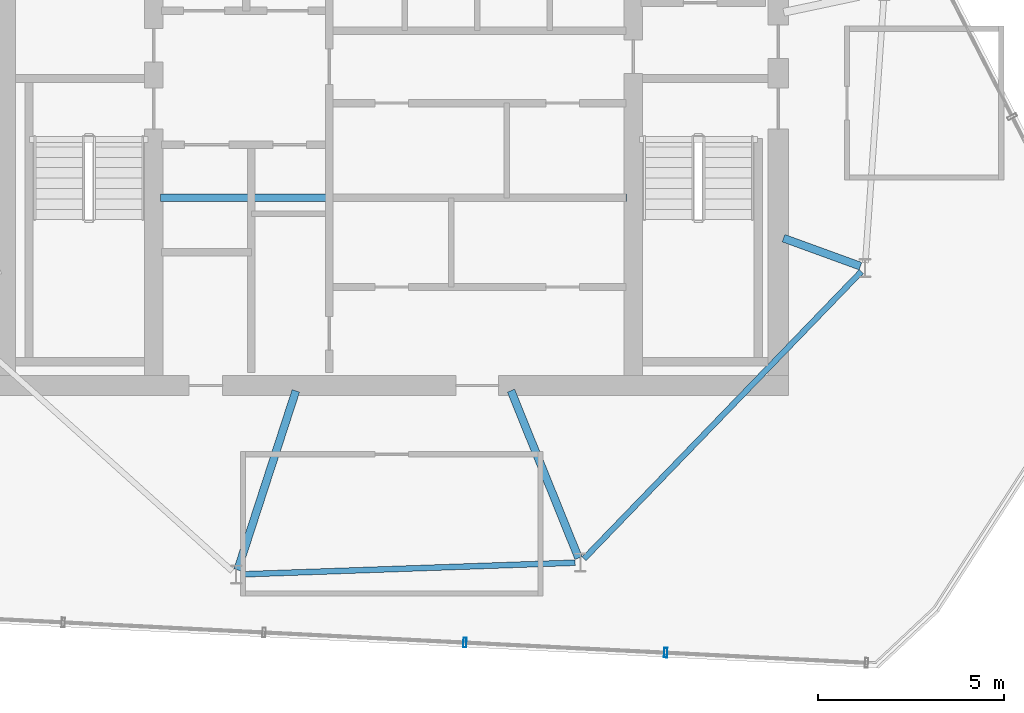
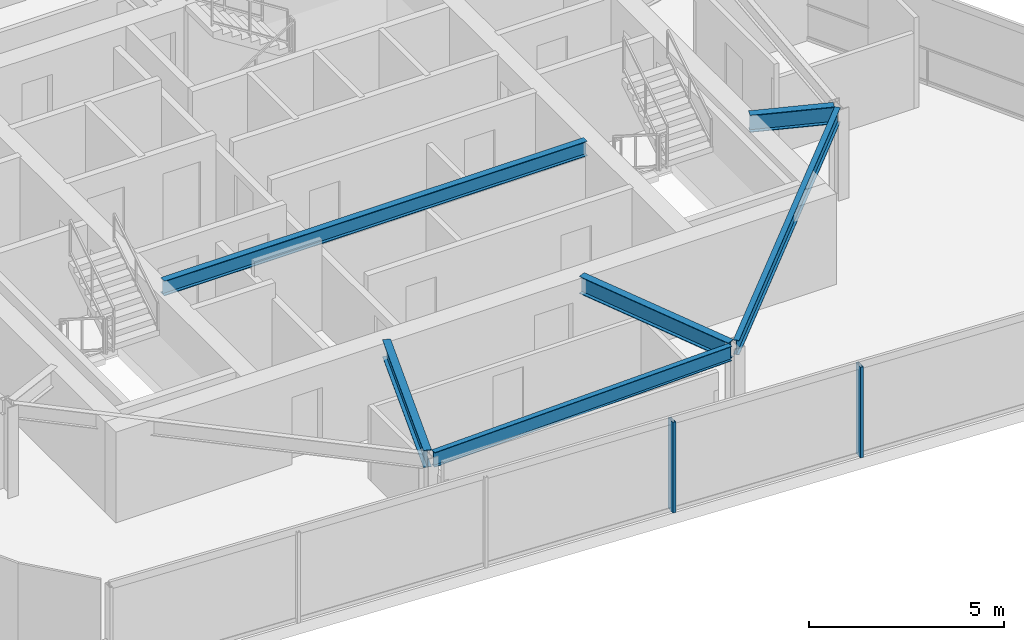
# One storey, part 4 of 16: 6 beams, 2 members, 1 element without a shape of its own.
"""IFC4 building model written with IfcOpenShell, lengths in metres."""

from ifc_helpers import new_model, si_unit, direction, frame, origin, origin_2d, place, context, subcontext, project, spatial, hollow_rectangle, i_section, extrude, material, layer, layer_set, material_profile, profile_set, type_object, element, aggregate, save


model = new_model("IFC4")

# Units and contexts
model_context = context("Model", 3, precision=1e-05, world=origin(), true_north=direction((0.0, 1.0)))
body_context = subcontext(model_context, "Body", "Model", "MODEL_VIEW")
ifc_project = project(units=[si_unit("LENGTHUNIT", "METRE"), si_unit("AREAUNIT", "SQUARE_METRE"), si_unit("VOLUMEUNIT", "CUBIC_METRE"), si_unit("PLANEANGLEUNIT", "RADIAN"), si_unit("MASSUNIT", "GRAM", prefix="KILO")], contexts=[model_context])

# Site, building, storey
site_placement = place(None, origin())
site = spatial("IfcSite", under=ifc_project, at=site_placement, CompositionType="ELEMENT")
building_placement = place(site_placement, origin())
building = spatial("IfcBuilding", under=site, at=building_placement, Name="Qarnah Convention Tower", CompositionType="ELEMENT")
storey_placement = place(building_placement, frame((0.0, 0.0, 283.5)))
storey = spatial("IfcBuildingStorey", under=building, at=storey_placement, Name="L76", CompositionType="ELEMENT", Elevation=283.5)

# Beams
ifc_material_1 = material(Name="Structural steel S355JR", Category="steel")
ifc_material_profile_1 = material_profile(ifc_material_1, i_section(OverallWidth=0.19189453125, OverallDepth=0.464111328125, WebThickness=0.010986328125, FlangeThickness=0.01806640625, at=origin_2d()), Name="W460X89")
ifc_profile_set_1 = profile_set([ifc_material_profile_1], Name="Structural steel S355JR")
beam_type_1 = type_object("IfcBeamType", Name="BM-CANT-W460A", PredefinedType="BEAM", material=ifc_profile_set_1)
beam_1_placement = place(storey_placement, frame((30.97998046875, 23.64990234375, 2.60791015625), z_axis=(1.0, 0.0, 0.0), x_axis=(0.0, 1.0, 0.0)))
element("IfcBeam", 1, at=beam_1_placement, inside=storey, type_object=beam_type_1, Name="L76 beam BM-L76-KC1", PredefinedType="BEAM", context=body_context, shape_type="SweptSolid", body=[
    extrude(i_section(OverallWidth=0.19189453125, OverallDepth=0.464111328125, WebThickness=0.010986328125, FlangeThickness=0.01806640625, at=origin_2d()), origin(), (0.0, 0.0, 1.0), 12.5400390625),
])
ifc_material_profile_2 = material_profile(ifc_material_1, i_section(OverallWidth=0.2119140625, OverallDepth=0.5400390625, WebThickness=0.011962890625, FlangeThickness=0.01904296875, at=origin_2d()), Name="W530X109")
ifc_profile_set_2 = profile_set([ifc_material_profile_2], Name="Structural steel S355JR")
beam_type_2 = type_object("IfcBeamType", Name="BM-RAD-W530A", PredefinedType="BEAM", material=ifc_profile_set_2)
beam_2_placement = place(storey_placement, frame((34.6201171875, 18.45703125, 2.570068359375), z_axis=(-0.309196077222, -0.950998310109, 0.0), x_axis=(0.950998310109, -0.309196077222, 0.0)))
element("IfcBeam", 2, at=beam_2_placement, inside=storey, type_object=beam_type_2, Name="L76 beam BM-L76-RAD-07", PredefinedType="BEAM", context=body_context, shape_type="SweptSolid", body=[
    extrude(i_section(OverallWidth=0.2119140625, OverallDepth=0.5400390625, WebThickness=0.011962890625, FlangeThickness=0.01904296875, at=origin_2d()), origin(), (0.0, 0.0, 1.0), 5.068359375),
])
beam_3_placement = place(storey_placement, frame((40.407958984375, 18.4609375, 2.570068359375), z_axis=(0.374569439496, -0.927198864859, 0.0), x_axis=(0.927198864859, 0.374569439496, 0.0)))
element("IfcBeam", 3, at=beam_3_placement, inside=storey, type_object=beam_type_2, Name="L76 beam BM-L76-RAD-08", PredefinedType="BEAM", context=body_context, shape_type="SweptSolid", body=[
    extrude(i_section(OverallWidth=0.2119140625, OverallDepth=0.5400390625, WebThickness=0.011962890625, FlangeThickness=0.01904296875, at=origin_2d()), origin(), (0.0, 0.0, 1.0), 4.8564453125),
])
beam_4_placement = place(storey_placement, frame((47.740966796875, 22.56396484375, 2.570068359375), z_axis=(0.939625060503, -0.342205706667, 0.0), x_axis=(0.342205706667, 0.939625060503, 0.0)))
element("IfcBeam", 4, at=beam_4_placement, inside=storey, type_object=beam_type_2, Name="L76 beam BM-L76-RAD-09", PredefinedType="BEAM", context=body_context, shape_type="SweptSolid", body=[
    extrude(i_section(OverallWidth=0.2119140625, OverallDepth=0.5400390625, WebThickness=0.011962890625, FlangeThickness=0.01904296875, at=origin_2d()), origin(), (0.0, 0.0, 1.0), 2.203125),
])
ifc_material_profile_3 = material_profile(ifc_material_1, i_section(OverallWidth=0.154052734375, OverallDepth=0.4599609375, WebThickness=0.009033203125, FlangeThickness=0.014892578125, at=origin_2d()), Name="W460X68")
ifc_profile_set_3 = profile_set([ifc_material_profile_3], Name="Structural steel S355JR")
beam_type_3 = type_object("IfcBeamType", Name="BM-SPN-W460B", PredefinedType="SPANDREL", material=ifc_profile_set_3)
beam_5_placement = place(storey_placement, frame((33.153076171875, 13.51806640625, 2.610107421875), z_axis=(0.999389760583, 0.034930022072, 0.0), x_axis=(-0.034930022072, 0.999389760583, 0.0)))
element("IfcBeam", 5, at=beam_5_placement, inside=storey, type_object=beam_type_3, Name="L76 spandrel BM-L76-SPN-07", PredefinedType="SPANDREL", context=body_context, shape_type="SweptSolid", body=[
    extrude(i_section(OverallWidth=0.154052734375, OverallDepth=0.4599609375, WebThickness=0.009033203125, FlangeThickness=0.014892578125, at=origin_2d()), origin(), (0.0, 0.0, 1.0), 8.98828125),
])
beam_6_placement = place(storey_placement, frame((42.373046875, 13.93798828125, 2.610107421875), z_axis=(0.694704823646, 0.719294938118, 0.0), x_axis=(-0.719294938118, 0.694704823646, 0.0)))
element("IfcBeam", 6, at=beam_6_placement, inside=storey, type_object=beam_type_3, Name="L76 spandrel BM-L76-SPN-08", PredefinedType="SPANDREL", context=body_context, shape_type="SweptSolid", body=[
    extrude(i_section(OverallWidth=0.154052734375, OverallDepth=0.4599609375, WebThickness=0.009033203125, FlangeThickness=0.014892578125, at=origin_2d()), origin(), (0.0, 0.0, 1.0), 10.742431640625),
])

# Curtain wall, members
ifc_material_2 = material(Name="Tempered Low-E dark glass", Category="glass")
ifc_layer = layer(ifc_material_2, 0.177978515625)
ifc_layer_set = layer_set([ifc_layer], Name="Tempered Low-E dark glass")
curtain_wall_type = type_object("IfcCurtainWallType", Name="CWS-06", PredefinedType="NOTDEFINED", material=ifc_layer_set)
curtain_wall_placement = place(storey_placement, origin())
curtain_wall = element("IfcCurtainWall", 7, at=curtain_wall_placement, inside=storey, type_object=curtain_wall_type, Name="L76 unitised curtain wall CW-L76-F2", PredefinedType="NOTDEFINED")
ifc_material_3 = material(Name="Black anodised aluminium", Category="aluminium")
ifc_material_profile_4 = material_profile(ifc_material_3, hollow_rectangle(XDim=0.0849609375, YDim=0.260009765625, WallThickness=0.006103515625, at=origin_2d()), Name="MUL-85X260")
ifc_profile_set_4 = profile_set([ifc_material_profile_4], Name="Black anodised aluminium")
member_type = type_object("IfcMemberType", Name="MUL-T6", PredefinedType="MULLION", material=ifc_profile_set_4)
member_1_placement = place(storey_placement, frame((44.571044921875, 11.410888671875, 0.0), z_axis=(0.0, 0.0, 1.0), x_axis=(-0.99873708025, 0.050241860374, 0.0)))
member_1 = element("IfcMember", 8, at=member_1_placement, type_object=member_type, Name="CW-L76-F2 mullion 2", PredefinedType="MULLION", context=body_context, shape_type="SweptSolid", body=[
    extrude(hollow_rectangle(XDim=0.0849609375, YDim=0.260009765625, WallThickness=0.006103515625, at=origin_2d()), origin(), (0.0, 0.0, 1.0), 2.840087890625),
])
member_2_placement = place(storey_placement, frame((39.16796875, 11.6826171875, 0.0), z_axis=(0.0, 0.0, 1.0), x_axis=(-0.99873708025, 0.050241860374, 0.0)))
member_2 = element("IfcMember", 9, at=member_2_placement, type_object=member_type, Name="CW-L76-F2 mullion 3", PredefinedType="MULLION", context=body_context, shape_type="SweptSolid", body=[
    extrude(hollow_rectangle(XDim=0.0849609375, YDim=0.260009765625, WallThickness=0.006103515625, at=origin_2d()), origin(), (0.0, 0.0, 1.0), 2.840087890625),
])
aggregate(curtain_wall, [member_1, member_2])

save(model, "model.ifc")
